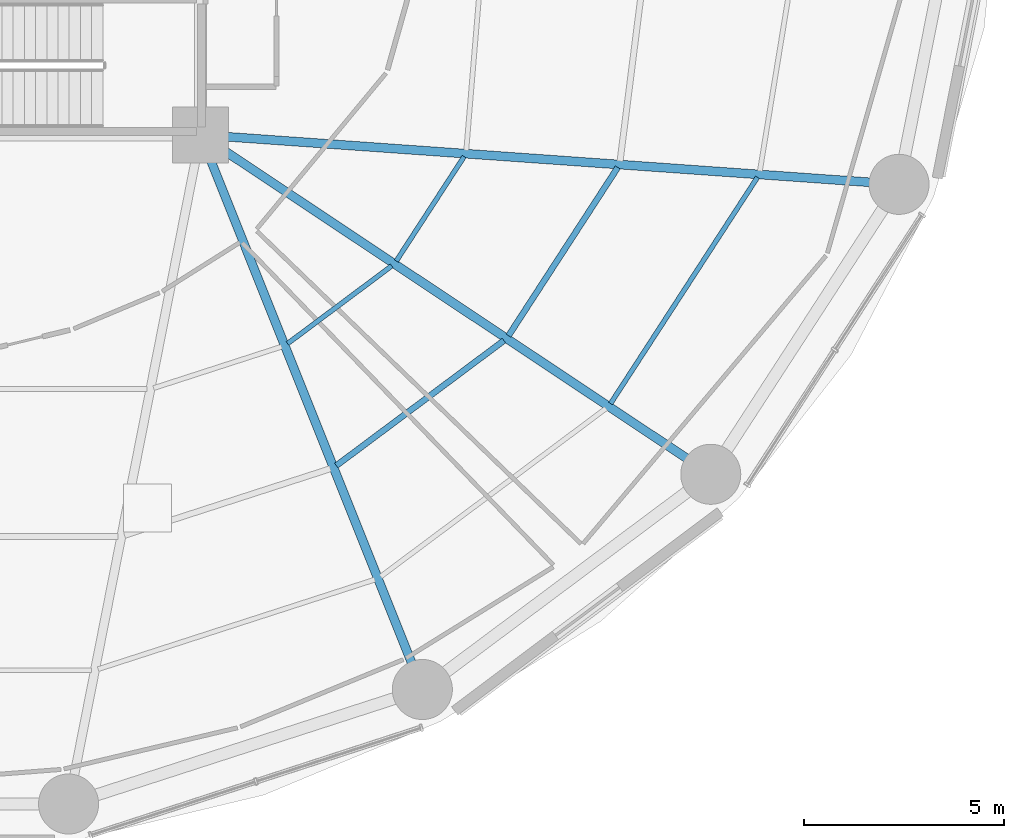
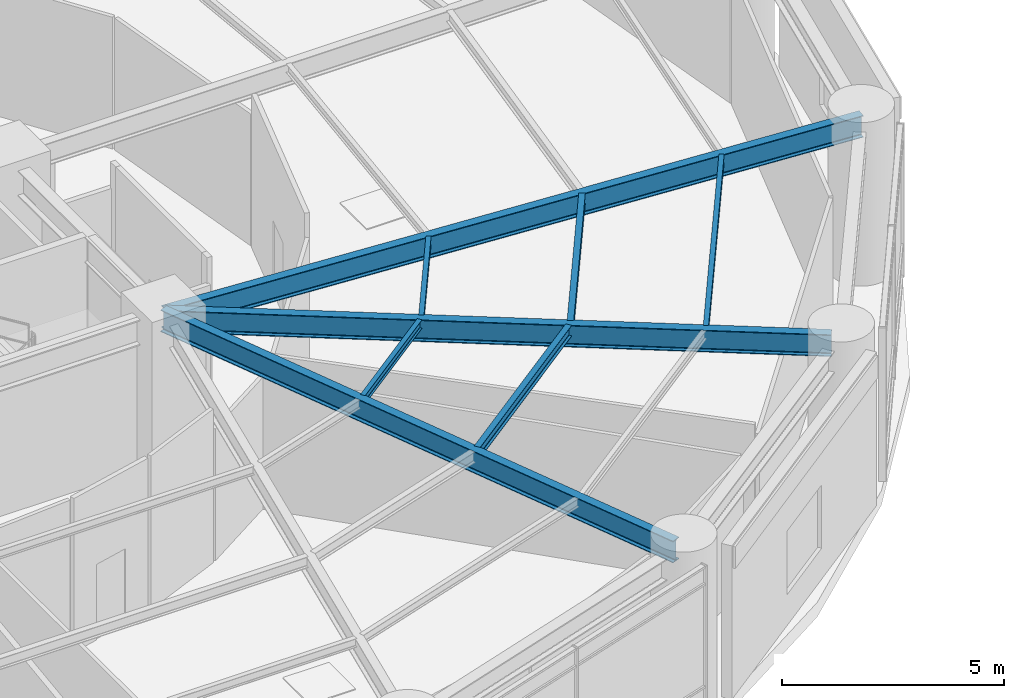
# One storey, part 20 of 46: 8 beams.
"""IFC4 building model written with IfcOpenShell, lengths in metres."""

from ifc_helpers import new_model, si_unit, direction, frame, origin, origin_2d, place, context, subcontext, project, spatial, i_section, extrude, material, material_profile, profile_set, type_object, element, save


model = new_model("IFC4")

# Units and contexts
model_context = context("Model", 3, precision=1e-05, world=origin(), true_north=direction((0.0, 1.0)))
body_context = subcontext(model_context, "Body", "Model", "MODEL_VIEW")
ifc_project = project(units=[si_unit("LENGTHUNIT", "METRE"), si_unit("AREAUNIT", "SQUARE_METRE"), si_unit("VOLUMEUNIT", "CUBIC_METRE"), si_unit("PLANEANGLEUNIT", "RADIAN"), si_unit("MASSUNIT", "GRAM", prefix="KILO")], contexts=[model_context])

# Site, building, storey
site_placement = place(None, origin())
site = spatial("IfcSite", under=ifc_project, at=site_placement, CompositionType="ELEMENT")
building_placement = place(site_placement, origin())
building = spatial("IfcBuilding", under=site, at=building_placement, Name="Kelanora Arch Commons", CompositionType="ELEMENT")
storey_placement = place(building_placement, frame((0.0, 0.0, 18.0)))
storey = spatial("IfcBuildingStorey", under=building, at=storey_placement, Name="L04", CompositionType="ELEMENT", Elevation=18.0)

# Beams
ifc_material = material(Name="Steel S355", Category="steel")
ifc_material_profile_1 = material_profile(ifc_material, i_section(OverallWidth=0.14990234375, OverallDepth=0.300048828125, WebThickness=0.007080078125, FlangeThickness=0.0107421875, FilletRadius=0.014892578125, at=origin_2d()), Name="IPE300")
ifc_profile_set_1 = profile_set([ifc_material_profile_1], Name="Steel S355")
beam_type_1 = type_object("IfcBeamType", Name="BM-JST-01", PredefinedType="JOIST", material=ifc_profile_set_1)
beam_1_placement = place(storey_placement, frame((85.39208984375, 42.738525390625, 4.090087890625), z_axis=(0.801478251559, 0.598023922831, 0.0), x_axis=(-0.598023922831, 0.801478251559, 0.0)))
element("IfcBeam", 1, at=beam_1_placement, inside=storey, type_object=beam_type_1, Name="Secondary Chord Joist BJB-30 L04", PredefinedType="JOIST", context=body_context, shape_type="SweptSolid", body=[
    extrude(i_section(OverallWidth=0.14990234375, OverallDepth=0.300048828125, WebThickness=0.007080078125, FlangeThickness=0.0107421875, FilletRadius=0.014892578125, at=origin_2d()), origin(), (0.0, 0.0, 1.0), 5.223388671875),
])
beam_2_placement = place(storey_placement, frame((89.693115234375, 45.984375, 4.090087890625), z_axis=(0.544551588245, 0.838727350061, 0.0), x_axis=(-0.838727350061, 0.544551588245, 0.0)))
element("IfcBeam", 2, at=beam_2_placement, inside=storey, type_object=beam_type_1, Name="Secondary Chord Joist BJB-32 L04", PredefinedType="JOIST", context=body_context, shape_type="SweptSolid", body=[
    extrude(i_section(OverallWidth=0.14990234375, OverallDepth=0.300048828125, WebThickness=0.007080078125, FlangeThickness=0.0107421875, FilletRadius=0.014892578125, at=origin_2d()), origin(), (0.0, 0.0, 1.0), 5.010986328125),
])
ifc_material_profile_2 = material_profile(ifc_material, i_section(OverallWidth=0.1201171875, OverallDepth=0.239990234375, WebThickness=0.006103515625, FlangeThickness=0.009765625, FilletRadius=0.014892578125, at=origin_2d()), Name="IPE240")
ifc_profile_set_2 = profile_set([ifc_material_profile_2], Name="Steel S355")
beam_type_2 = type_object("IfcBeamType", Name="BM-JST-02", PredefinedType="JOIST", material=ifc_profile_set_2)
beam_3_placement = place(storey_placement, frame((84.17333984375, 45.786376953125, 4.1201171875), z_axis=(0.801513822608, 0.59797624716, 0.0), x_axis=(-0.59797624716, 0.801513822608, 0.0)))
element("IfcBeam", 3, at=beam_3_placement, inside=storey, type_object=beam_type_2, Name="Secondary Chord Joist BJA-30 L04", PredefinedType="JOIST", context=body_context, shape_type="SweptSolid", body=[
    extrude(i_section(OverallWidth=0.1201171875, OverallDepth=0.239990234375, WebThickness=0.006103515625, FlangeThickness=0.009765625, FilletRadius=0.014892578125, at=origin_2d()), origin(), (0.0, 0.0, 1.0), 3.245849609375),
])
beam_4_placement = place(storey_placement, frame((86.88916015625, 47.849609375, 4.1201171875), z_axis=(0.544591105858, 0.838701691557, 0.0), x_axis=(-0.838701691557, 0.544591105858, 0.0)))
element("IfcBeam", 4, at=beam_4_placement, inside=storey, type_object=beam_type_2, Name="Secondary Chord Joist BJA-32 L04", PredefinedType="JOIST", context=body_context, shape_type="SweptSolid", body=[
    extrude(i_section(OverallWidth=0.1201171875, OverallDepth=0.239990234375, WebThickness=0.006103515625, FlangeThickness=0.009765625, FilletRadius=0.014892578125, at=origin_2d()), origin(), (0.0, 0.0, 1.0), 3.111328125),
])
beam_5_placement = place(storey_placement, frame((92.241943359375, 44.288818359375, 4.1201171875), z_axis=(0.544550165372, 0.838728273873, 0.0), x_axis=(-0.838728273873, 0.544550165372, 0.0)))
element("IfcBeam", 5, at=beam_5_placement, inside=storey, type_object=beam_type_2, Name="Secondary Chord Joist BJC-32 L04", PredefinedType="JOIST", context=body_context, shape_type="SweptSolid", body=[
    extrude(i_section(OverallWidth=0.1201171875, OverallDepth=0.239990234375, WebThickness=0.006103515625, FlangeThickness=0.009765625, FilletRadius=0.014892578125, at=origin_2d()), origin(), (0.0, 0.0, 1.0), 6.738037109375),
])
ifc_material_profile_3 = material_profile(ifc_material, i_section(OverallWidth=0.219970703125, OverallDepth=0.60009765625, WebThickness=0.011962890625, FlangeThickness=0.01904296875, FilletRadius=0.02392578125, at=origin_2d()), Name="IPE600")
ifc_profile_set_3 = profile_set([ifc_material_profile_3], Name="Steel S355")
beam_type_3 = type_object("IfcBeamType", Name="BM-RAD-Z1", PredefinedType="BEAM", material=ifc_profile_set_3)
beam_6_placement = place(storey_placement, frame((82.0, 51.0, 3.93994140625), z_axis=(0.371296182896, -0.928514482691, 0.0), x_axis=(0.928514482691, 0.371296182896, 0.0)))
element("IfcBeam", 6, at=beam_6_placement, inside=storey, type_object=beam_type_3, Name="Radial Floor Girder BR-30 L04", PredefinedType="BEAM", context=body_context, shape_type="SweptSolid", body=[
    extrude(i_section(OverallWidth=0.219970703125, OverallDepth=0.60009765625, WebThickness=0.011962890625, FlangeThickness=0.01904296875, FilletRadius=0.02392578125, at=origin_2d()), origin(), (0.0, 0.0, 1.0), 14.700439453125),
])
beam_7_placement = place(storey_placement, frame((82.0, 51.0, 3.93994140625), z_axis=(0.832592623638, -0.553885839379, 0.0), x_axis=(0.553885839379, 0.832592623638, 0.0)))
element("IfcBeam", 7, at=beam_7_placement, inside=storey, type_object=beam_type_3, Name="Radial Floor Girder BR-32 L04", PredefinedType="BEAM", context=body_context, shape_type="SweptSolid", body=[
    extrude(i_section(OverallWidth=0.219970703125, OverallDepth=0.60009765625, WebThickness=0.011962890625, FlangeThickness=0.01904296875, FilletRadius=0.02392578125, at=origin_2d()), origin(), (0.0, 0.0, 1.0), 15.0869140625),
])
beam_8_placement = place(storey_placement, frame((82.0, 51.0, 3.93994140625), z_axis=(0.997500683472, -0.070656821848, 0.0), x_axis=(0.070656821848, 0.997500683472, 0.0)))
element("IfcBeam", 8, at=beam_8_placement, inside=storey, type_object=beam_type_3, Name="Radial Floor Girder BR-34 L04", PredefinedType="BEAM", context=body_context, shape_type="SweptSolid", body=[
    extrude(i_section(OverallWidth=0.219970703125, OverallDepth=0.60009765625, WebThickness=0.011962890625, FlangeThickness=0.01904296875, FilletRadius=0.02392578125, at=origin_2d()), origin(), (0.0, 0.0, 1.0), 17.49072265625),
])

save(model, "model.ifc")
